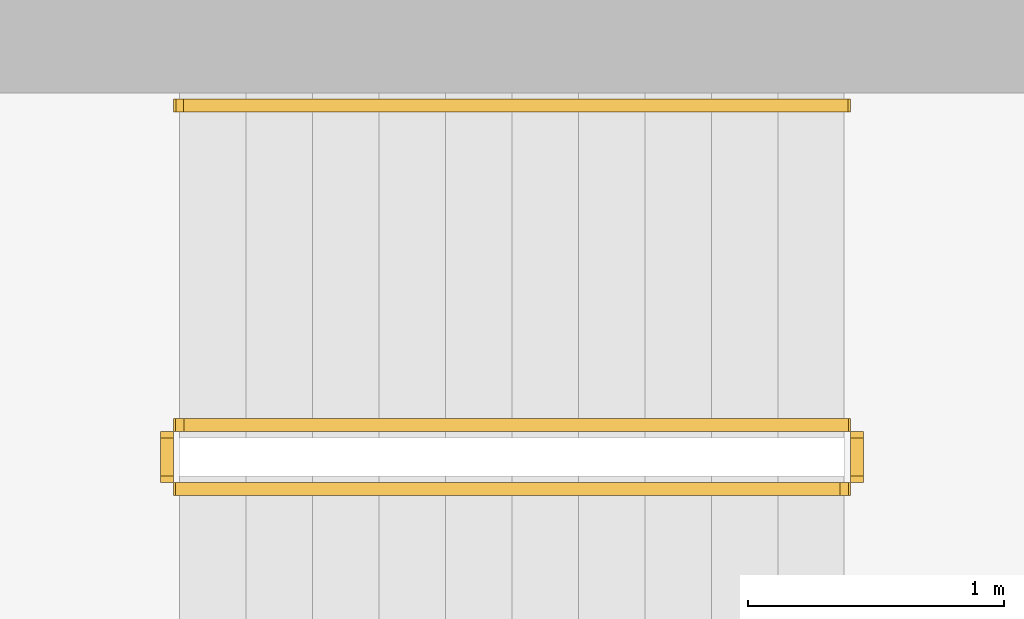
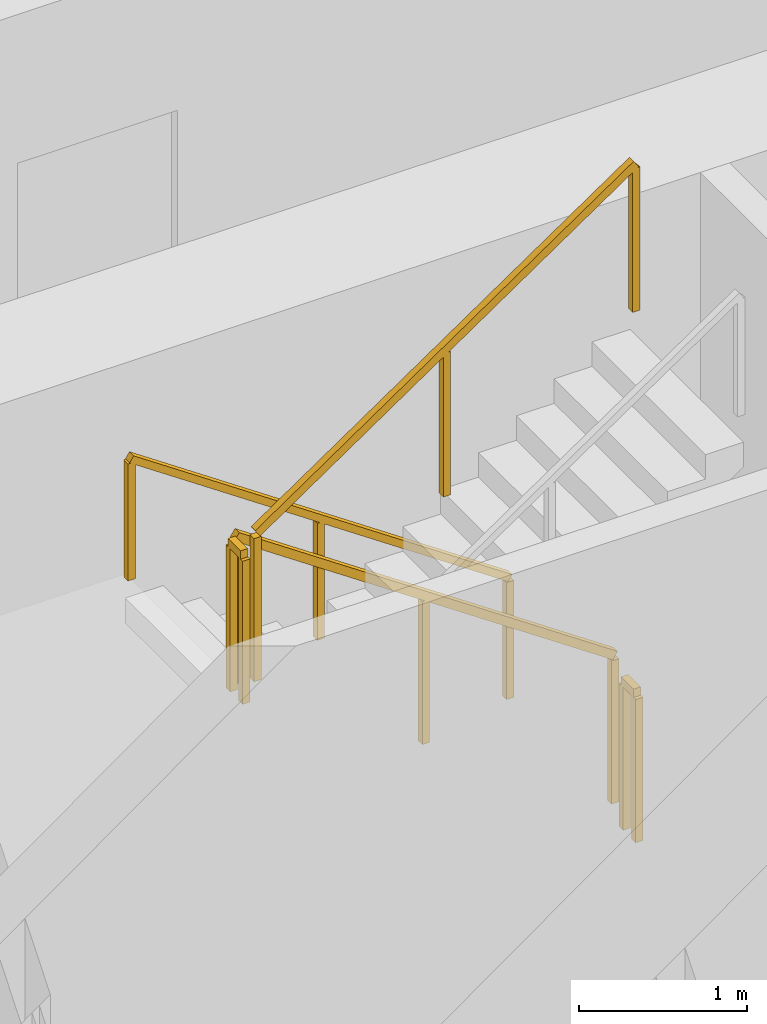
# One storey, part 14 of 15: 5 railings.
"""IFC4 building model written with IfcOpenShell, lengths in metres."""

from ifc_helpers import new_model, si_unit, direction, frame, origin, origin_2d, place, context, subcontext, project, spatial, rectangle, extrude, material, type_object, element, save


model = new_model("IFC4")

# Units and contexts
model_context = context("Model", 3, precision=1e-05, world=origin(), true_north=direction((0.0, 1.0)))
body_context = subcontext(model_context, "Body", "Model", "MODEL_VIEW")
ifc_project = project(units=[si_unit("LENGTHUNIT", "METRE"), si_unit("AREAUNIT", "SQUARE_METRE"), si_unit("VOLUMEUNIT", "CUBIC_METRE"), si_unit("PLANEANGLEUNIT", "RADIAN"), si_unit("MASSUNIT", "GRAM", prefix="KILO")], contexts=[model_context])

# Site, building, storey
site_placement = place(None, origin())
site = spatial("IfcSite", under=ifc_project, at=site_placement, CompositionType="ELEMENT")
building_placement = place(site_placement, origin())
building = spatial("IfcBuilding", under=site, at=building_placement, Name="Khepri Terraces", CompositionType="ELEMENT")
storey_placement = place(building_placement, frame((0.0, 0.0, 244.5)))
storey = spatial("IfcBuildingStorey", under=building, at=storey_placement, Name="L58", CompositionType="ELEMENT", Elevation=244.5)

# Railings
ifc_material = material(Name="Stainless steel 316", Category="steel")
railing_type_1 = type_object("IfcRailingType", Name="RL-CORE-GUARD", PredefinedType="GUARDRAIL", material=ifc_material)
railing_1_placement = place(storey_placement, frame((-0.25, 8.800048828125, 0.17724609375)))
element("IfcRailing", 1, at=railing_1_placement, inside=storey, type_object=railing_type_1, Name="L58 ST-3 stair guard 1", PredefinedType="GUARDRAIL", context=body_context, shape_type="SweptSolid", body=[
    extrude(rectangle(XDim=0.050048828125, YDim=0.06005859375, at=origin_2d()), frame((0.0, 0.0, 1.070068359375), z_axis=(-0.826240473404, 0.0, 0.563317565952), x_axis=(0.0, -1.0, 0.0)), (0.0, 0.0, 1.0), 3.14697265625),
    extrude(rectangle(XDim=0.050048828125, YDim=0.050048828125, at=origin_2d()), origin(), (0.0, 0.0, 1.0), 1.0400390625),
    extrude(rectangle(XDim=0.050048828125, YDim=0.050048828125, at=origin_2d()), frame((-1.300048828125, 0.0, 0.88623046875)), (0.0, 0.0, 1.0), 1.0400390625),
    extrude(rectangle(XDim=0.050048828125, YDim=0.050048828125, at=origin_2d()), frame((-2.60009765625, 0.0, 1.772705078125)), (0.0, 0.0, 1.0), 1.0400390625),
])
railing_2_placement = place(storey_placement, frame((-2.89990234375, 8.75, 1.949951171875)))
element("IfcRailing", 2, at=railing_2_placement, inside=storey, type_object=railing_type_1, Name="L58 ST-3 stair guard 2", PredefinedType="GUARDRAIL", context=body_context, shape_type="SweptSolid", body=[
    extrude(rectangle(XDim=0.050048828125, YDim=0.06005859375, at=origin_2d()), frame((0.0, 0.0, 1.070068359375), z_axis=(0.0, -1.0, 0.0), x_axis=(1.0, 0.0, 0.0)), (0.0, 0.0, 1.0), 0.14990234375),
    extrude(rectangle(XDim=0.050048828125, YDim=0.050048828125, at=origin_2d()), origin(), (0.0, 0.0, 1.0), 1.0400390625),
    extrude(rectangle(XDim=0.050048828125, YDim=0.050048828125, at=origin_2d()), frame((0.0, -0.14990234375, 0.0)), (0.0, 0.0, 1.0), 1.0400390625),
])
railing_3_placement = place(storey_placement, frame((-2.85009765625, 8.550048828125, 2.127197265625)))
element("IfcRailing", 3, at=railing_3_placement, inside=storey, type_object=railing_type_1, Name="L58 ST-3 stair guard 3", PredefinedType="GUARDRAIL", context=body_context, shape_type="SweptSolid", body=[
    extrude(rectangle(XDim=0.050048828125, YDim=0.06005859375, at=origin_2d()), frame((0.0, 0.0, 1.070068359375), z_axis=(0.826240473404, 0.0, 0.563317565952), x_axis=(0.0, 1.0, 0.0)), (0.0, 0.0, 1.0), 3.14697265625),
    extrude(rectangle(XDim=0.050048828125, YDim=0.050048828125, at=origin_2d()), origin(), (0.0, 0.0, 1.0), 1.0400390625),
    extrude(rectangle(XDim=0.050048828125, YDim=0.050048828125, at=origin_2d()), frame((1.300048828125, 0.0, 0.88623046875)), (0.0, 0.0, 1.0), 1.0400390625),
    extrude(rectangle(XDim=0.050048828125, YDim=0.050048828125, at=origin_2d()), frame((2.60009765625, 0.0, 1.772705078125)), (0.0, 0.0, 1.0), 1.0400390625),
])
railing_4_placement = place(storey_placement, frame((-0.199951171875, 8.75, 0.0)))
element("IfcRailing", 4, at=railing_4_placement, inside=storey, type_object=railing_type_1, Name="L58 ST-3 stair guard 4", PredefinedType="GUARDRAIL", context=body_context, shape_type="SweptSolid", body=[
    extrude(rectangle(XDim=0.050048828125, YDim=0.06005859375, at=origin_2d()), frame((0.0, 0.0, 1.070068359375), z_axis=(0.0, -1.0, 0.0), x_axis=(1.0, 0.0, 0.0)), (0.0, 0.0, 1.0), 0.14990234375),
    extrude(rectangle(XDim=0.050048828125, YDim=0.050048828125, at=origin_2d()), origin(), (0.0, 0.0, 1.0), 1.0400390625),
    extrude(rectangle(XDim=0.050048828125, YDim=0.050048828125, at=origin_2d()), frame((0.0, -0.14990234375, 0.0)), (0.0, 0.0, 1.0), 1.0400390625),
])
railing_type_2 = type_object("IfcRailingType", Name="RL-CORE-HANDRAIL", PredefinedType="HANDRAIL", material=ifc_material)
railing_5_placement = place(storey_placement, frame((-0.25, 10.050048828125, 0.17724609375)))
element("IfcRailing", 5, at=railing_5_placement, inside=storey, type_object=railing_type_2, Name="L58 ST-3 stair handrail 1", PredefinedType="HANDRAIL", context=body_context, shape_type="SweptSolid", body=[
    extrude(rectangle(XDim=0.050048828125, YDim=0.050048828125, at=origin_2d()), frame((0.0, 0.0, 0.875), z_axis=(-0.826240473404, 0.0, 0.563317565952), x_axis=(0.0, -1.0, 0.0)), (0.0, 0.0, 1.0), 3.14697265625),
    extrude(rectangle(XDim=0.050048828125, YDim=0.050048828125, at=origin_2d()), origin(), (0.0, 0.0, 1.0), 0.849853515625),
    extrude(rectangle(XDim=0.050048828125, YDim=0.050048828125, at=origin_2d()), frame((-1.300048828125, 0.0, 0.88623046875)), (0.0, 0.0, 1.0), 0.849853515625),
    extrude(rectangle(XDim=0.050048828125, YDim=0.050048828125, at=origin_2d()), frame((-2.60009765625, 0.0, 1.772705078125)), (0.0, 0.0, 1.0), 0.849853515625),
])

save(model, "model.ifc")
